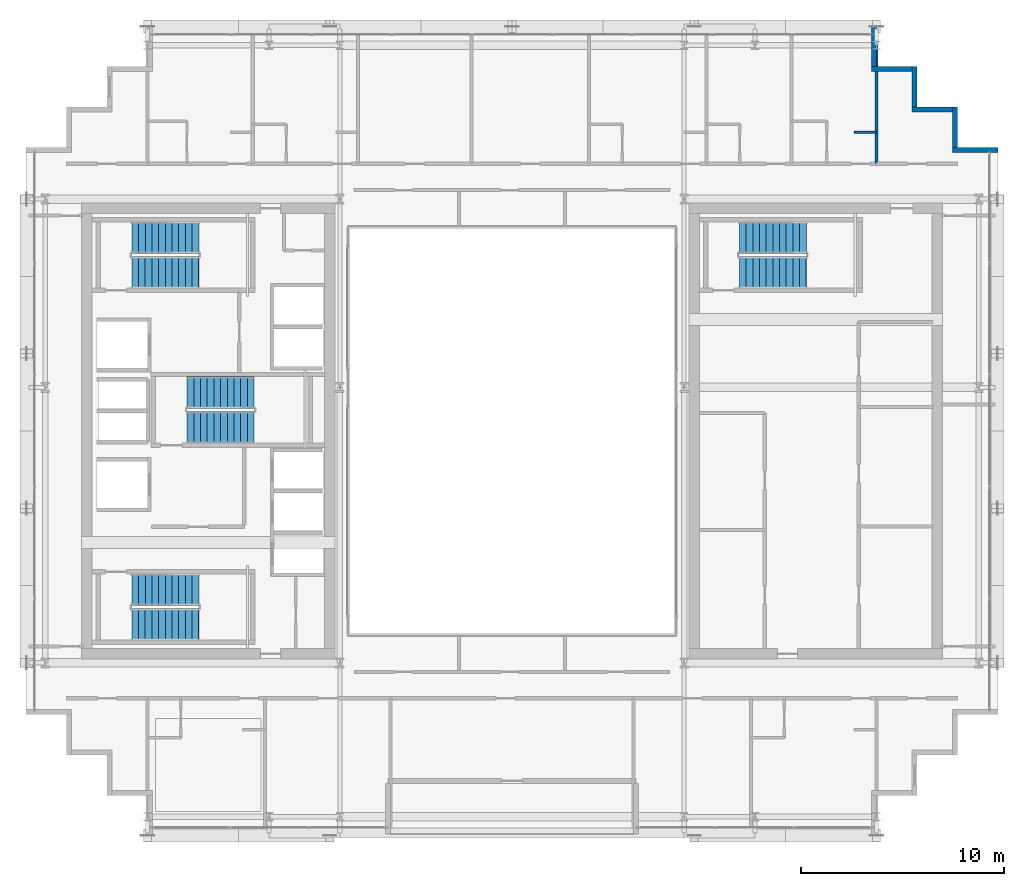
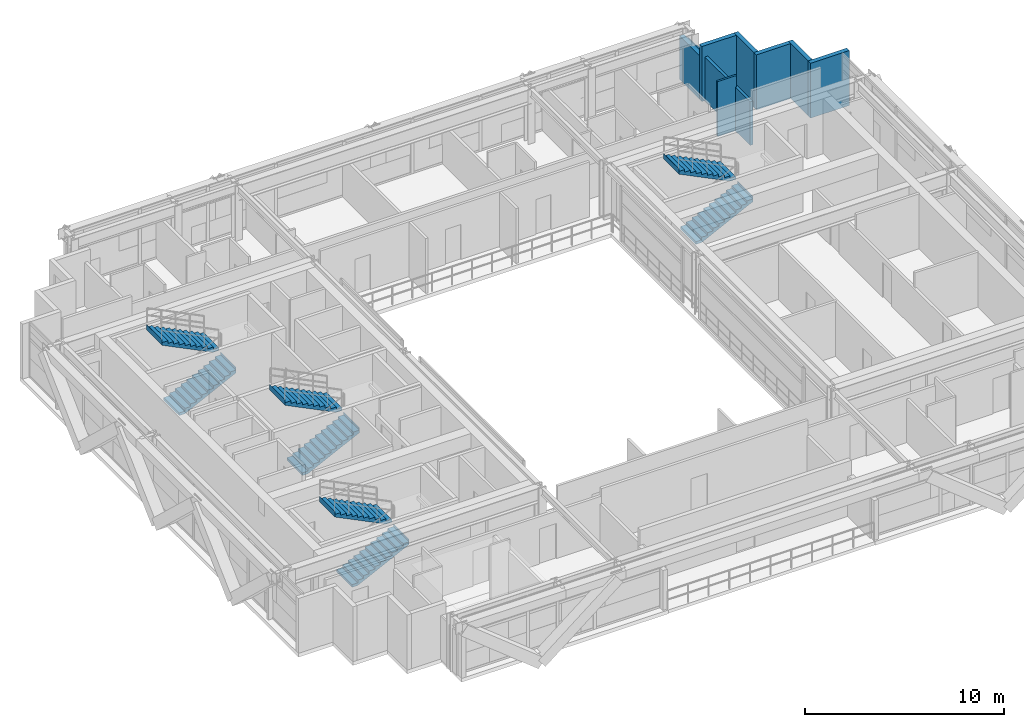
# One storey, part 33 of 37: 8 stair flights, 8 walls, 4 elements without a shape of their own.
"""IFC4 building model written with IfcOpenShell, lengths in metres."""

import ifcopenshell
import ifcopenshell.guid

model = None  # the IFC model being written
_history = None  # IfcOwnerHistory: only IFC2X3 demands one
_inside = {}  # id of a spatial element -> (the spatial element, [elements in it])
_under = {}  # id of a project, library or spatial element -> (it, [spatial elements below it])
_declared = {}  # id of a project -> (the project, [libraries it declares])
_typed = {}  # id of a type object -> (the type object, [elements of that type])
_made_of = {}  # id of a material, layer set ... -> (it, [elements and type objects made of it])


def new_model(schema):
    """Start an empty IFC model of exactly this schema.

    Asked for "IFC4X3", IfcOpenShell would pick the latest addendum, in which some entities
    have other attributes; the version numbers below select the first issue.
    IFC2X3 requires an IfcOwnerHistory on every rooted entity: one is made here for all.
    """
    global model, _history
    if schema == "IFC4X3":
        model = ifcopenshell.file(schema_version=(4, 3, 0, 0))
    else:
        model = ifcopenshell.file(schema=schema)
    _inside.clear()
    _under.clear()
    _declared.clear()
    _typed.clear()
    _made_of.clear()
    _history = None
    if model.schema == "IFC2X3":
        org = make("IfcOrganization", Name="unknown")
        user = make(
            "IfcPersonAndOrganization",
            ThePerson=make("IfcPerson", FamilyName="unknown"),
            TheOrganization=org,
        )
        app = make(
            "IfcApplication",
            ApplicationDeveloper=org,
            Version="unknown",
            ApplicationFullName="unknown",
            ApplicationIdentifier="unknown",
        )
        _history = make(
            "IfcOwnerHistory",
            OwningUser=user,
            OwningApplication=app,
            ChangeAction="ADDED",
            CreationDate=0,
        )
    return model


def make(cls, **values):
    """One entity of the class cls with the attributes given. An attribute that is None is left unset."""
    return model.create_entity(
        cls, **{name: value for name, value in values.items() if value is not None}
    )


def rooted(cls, **values):
    """An entity with a GlobalId (a new one), such as an element, a storey or a relation."""
    return make(cls, GlobalId=ifcopenshell.guid.new(), OwnerHistory=_history, **values)


def si_unit(unit_type, name, prefix=None):
    """IfcSIUnit, for example si_unit("LENGTHUNIT", "METRE", prefix="MILLI")."""
    return make("IfcSIUnit", UnitType=unit_type, Prefix=prefix, Name=name)


def assignment(units):
    """IfcUnitAssignment: the units of a project."""
    return None if units is None else make("IfcUnitAssignment", Units=units)


def point(xyz):
    """IfcCartesianPoint."""
    return None if xyz is None else make("IfcCartesianPoint", Coordinates=xyz)


def direction(xyz):
    """IfcDirection."""
    return None if xyz is None else make("IfcDirection", DirectionRatios=xyz)


def frame(location, z_axis=None, x_axis=None):
    """IfcAxis2Placement3D, a coordinate frame: its origin and axes. An axis left out is left unset."""
    return make(
        "IfcAxis2Placement3D",
        Location=point(location),
        Axis=direction(z_axis),
        RefDirection=direction(x_axis),
    )


def frame_2d(location, x_axis=None):
    """IfcAxis2Placement2D, a coordinate frame in the plane: its origin and x axis."""
    return make(
        "IfcAxis2Placement2D", Location=point(location), RefDirection=direction(x_axis)
    )


def origin():
    """The frame at (0, 0, 0) with its axes left unset."""
    return frame((0.0, 0.0, 0.0))


def place(relative_to, where):
    """IfcLocalPlacement: puts the frame where relative to a parent placement (None: the world)."""
    return make(
        "IfcLocalPlacement", PlacementRelTo=relative_to, RelativePlacement=where
    )


def context(
    kind, dimensions, precision=None, world=None, true_north=None, identifier=None
):
    """IfcGeometricRepresentationContext, for example the 3D "Model" context."""
    return make(
        "IfcGeometricRepresentationContext",
        ContextIdentifier=identifier,
        ContextType=kind,
        CoordinateSpaceDimension=dimensions,
        Precision=precision,
        WorldCoordinateSystem=world,
        TrueNorth=true_north,
    )


def subcontext(parent, identifier, kind, view, scale=None):
    """IfcGeometricRepresentationSubContext, for example "Body" below "Model"."""
    return make(
        "IfcGeometricRepresentationSubContext",
        ContextIdentifier=identifier,
        ContextType=kind,
        ParentContext=parent,
        TargetScale=scale,
        TargetView=view,
    )


def project(units=None, contexts=None):
    """IfcProject with its units and contexts."""
    return rooted(
        "IfcProject",
        Name="project",
        RepresentationContexts=contexts,
        UnitsInContext=assignment(units),
    )


def spatial(cls, under=None, at=None, **own):
    """A site, building, storey or space (cls), placed at a placement, below another one or the project."""
    s = rooted(cls, ObjectPlacement=at, **own)
    if under is not None:
        _under.setdefault(under.id(), (under, []))[1].append(s)
    return s


def polyline(points):
    """IfcPolyline through the points."""
    return make("IfcPolyline", Points=[point(p) for p in points])


def profile(cls, at=None, kind="AREA", **sizes):
    """A parametric profile (cls). Its sizes go by their IFC names, for example OverallWidth=200.0."""
    return make(cls, ProfileType=kind, Position=at, **sizes)


def rectangle(**sizes):
    """IfcRectangleProfileDef."""
    return profile("IfcRectangleProfileDef", **sizes)


def outline(outer, holes=None, kind="AREA"):
    """IfcArbitraryClosedProfileDef: a profile drawn as a closed curve; with holes, ...WithVoids."""
    if holes is None:
        return make("IfcArbitraryClosedProfileDef", ProfileType=kind, OuterCurve=outer)
    return make(
        "IfcArbitraryProfileDefWithVoids",
        ProfileType=kind,
        OuterCurve=outer,
        InnerCurves=holes,
    )


def extrude(swept, where, along, depth):
    """IfcExtrudedAreaSolid: the profile swept, set in the frame where, extruded along a direction by depth."""
    return make(
        "IfcExtrudedAreaSolid",
        SweptArea=swept,
        Position=where,
        ExtrudedDirection=direction(along),
        Depth=depth,
    )


def shape(context_of_items, identifier, shape_type, items):
    """IfcShapeRepresentation: the items that make up one representation, for example the "Body"."""
    return make(
        "IfcShapeRepresentation",
        ContextOfItems=context_of_items,
        RepresentationIdentifier=identifier,
        RepresentationType=shape_type,
        Items=items,
    )


def source(mapping_origin, context_of_items, identifier, shape_type, items):
    """IfcRepresentationMap: a shape defined once, which mapped items show again and again."""
    return make(
        "IfcRepresentationMap",
        MappingOrigin=mapping_origin,
        MappedRepresentation=shape(context_of_items, identifier, shape_type, items),
    )


def transform(
    local_origin,
    x_axis=None,
    y_axis=None,
    z_axis=None,
    scale=None,
    scale2=None,
    scale3=None,
    uniform=True,
):
    """IfcCartesianTransformationOperator3D, or its non-uniform kind. x_axis, y_axis, z_axis: its Axis1, 2, 3."""
    if uniform:
        return make(
            "IfcCartesianTransformationOperator3D",
            Axis1=direction(x_axis),
            Axis2=direction(y_axis),
            LocalOrigin=point(local_origin),
            Scale=scale,
            Axis3=direction(z_axis),
        )
    return make(
        "IfcCartesianTransformationOperator3DnonUniform",
        Axis1=direction(x_axis),
        Axis2=direction(y_axis),
        LocalOrigin=point(local_origin),
        Scale=scale,
        Axis3=direction(z_axis),
        Scale2=scale2,
        Scale3=scale3,
    )


def mapped(mapping_source, mapping_target):
    """IfcMappedItem: shows the shape of a source again, moved by a transform."""
    return make(
        "IfcMappedItem", MappingSource=mapping_source, MappingTarget=mapping_target
    )


def material(Name=None, Category=None):
    """IfcMaterial."""
    return make("IfcMaterial", Name=Name, Category=Category)


def layer(
    of_material, thickness, ventilated=None, Name=None, Category=None, Priority=None
):
    """IfcMaterialLayer: one layer of a wall or slab, of a material (None: an air gap)."""
    return make(
        "IfcMaterialLayer",
        Material=of_material,
        LayerThickness=thickness,
        IsVentilated=ventilated,
        Name=Name,
        Category=Category,
        Priority=Priority,
    )


def layer_set(layers, Name=None):
    """IfcMaterialLayerSet."""
    return make("IfcMaterialLayerSet", MaterialLayers=layers, LayerSetName=Name)


def made_of(thing, what):
    """Note that an element or type object is made of a material, layer set ...; save() writes the relation."""
    if what is not None:
        _made_of.setdefault(what.id(), (what, []))[1].append(thing)
    return thing


def type_object(cls, material=None, **own):
    """A type object (cls), such as IfcWallType, which elements share."""
    return made_of(rooted(cls, **own), material)


def element(
    cls,
    number,
    at=None,
    inside=None,
    cuts=None,
    type_object=None,
    material=None,
    context=None,
    identifier="Body",
    shape_type=None,
    held_by="IfcProductDefinitionShape",
    body=None,
    shapes=None,
    **own,
):
    """One element of the class cls, such as IfcWall. Its Tag is "e" and its number.

    at: its placement. inside: the storey or other place that contains it. cuts: it is an
    opening in that element (IfcRelVoidsElement). A single representation is given by context,
    identifier, shape_type and body (its items); several are given by shapes. held_by: the class
    of the entity that holds the representations. save() writes the other relations.
    """
    e = rooted(cls, Tag="e%d" % number, ObjectPlacement=at, **own)
    if body is not None:
        shapes = [shape(context, identifier, shape_type, body)]
    if shapes is not None:
        e.Representation = make(held_by, Representations=shapes)
    if inside is not None:
        _inside.setdefault(inside.id(), (inside, []))[1].append(e)
    if cuts is not None:
        rooted(
            "IfcRelVoidsElement", RelatingBuildingElement=cuts, RelatedOpeningElement=e
        )
    if type_object is not None:
        _typed.setdefault(type_object.id(), (type_object, []))[1].append(e)
    return made_of(e, material)


def aggregate(whole, parts):
    """IfcRelAggregates: a whole, such as a stair, and the parts it consists of."""
    return rooted("IfcRelAggregates", RelatingObject=whole, RelatedObjects=parts)


def save(model, path):
    """Write the relations noted so far, then the file.

    IfcRelAggregates (storeys below a building ...), IfcRelContainedInSpatialStructure (elements
    in a storey), IfcRelDefinesByType, IfcRelAssociatesMaterial and IfcRelDeclares: one each for
    every whole, place, type object, material and project.
    """
    for whole, parts in _under.values():
        aggregate(whole, parts)
    for where, things in _inside.values():
        rooted(
            "IfcRelContainedInSpatialStructure",
            RelatedElements=things,
            RelatingStructure=where,
        )
    for kind, things in _typed.values():
        rooted("IfcRelDefinesByType", RelatedObjects=things, RelatingType=kind)
    for what, things in _made_of.values():
        rooted("IfcRelAssociatesMaterial", RelatedObjects=things, RelatingMaterial=what)
    for by, libraries in _declared.values():
        rooted("IfcRelDeclares", RelatingContext=by, RelatedDefinitions=libraries)
    model.write(path)


model = new_model("IFC4")

# Units and contexts
model_context = context("Model", 3, precision=1e-05, world=origin(), true_north=direction((0.0, 1.0)))
body_context = subcontext(model_context, "Body", "Model", "MODEL_VIEW")
ifc_project = project(units=[si_unit("LENGTHUNIT", "METRE"), si_unit("AREAUNIT", "SQUARE_METRE"), si_unit("VOLUMEUNIT", "CUBIC_METRE"), si_unit("PLANEANGLEUNIT", "RADIAN"), si_unit("MASSUNIT", "GRAM", prefix="KILO")], contexts=[model_context])

# Site, building, storey
site_placement = place(None, origin())
site = spatial("IfcSite", under=ifc_project, at=site_placement, CompositionType="ELEMENT")
building_placement = place(site_placement, origin())
building = spatial("IfcBuilding", under=site, at=building_placement, Name="Ocotamira Hotel", CompositionType="ELEMENT")
storey_placement = place(building_placement, frame((0.0, 0.0, 192.0)))
storey = spatial("IfcBuildingStorey", under=building, at=storey_placement, Name="L48", CompositionType="ELEMENT", Elevation=192.0)

# Walls
ifc_material_1 = material(Name="Precast concrete C45/55", Category="concrete")
ifc_layer_1 = layer(ifc_material_1, 0.25)
ifc_layer_set_1 = layer_set([ifc_layer_1], Name="Precast concrete C45/55")
wall_type_1 = type_object("IfcWallType", Name="WL-EXT-SER-250", PredefinedType="SOLIDWALL", material=ifc_layer_set_1)
wall_1_placement = place(storey_placement, frame((56.0, 39.875, 0.0), z_axis=(0.0, 0.0, 1.0), x_axis=(-1.0, 0.0, 0.0)))
element("IfcWall", 1, at=wall_1_placement, inside=storey, type_object=wall_type_1, Name="L48 Serrated Corner Wall 07", PredefinedType="SOLIDWALL", context=body_context, shape_type="SweptSolid", body=[
    extrude(rectangle(XDim=2.25, YDim=0.25, at=frame_2d((1.125, 0.0))), origin(), (0.0, 0.0, 1.0), 3.3701171875),
])
for number, where, z_axis, x_axis, name in (
    (2, (53.875, 40.0, 0.0), (0.0, 0.0, 1.0), (0.0, 1.0, 0.0), "L48 Serrated Corner Wall 08"),
    (3, (53.75, 41.875, 0.0), (0.0, 0.0, 1.0), (-1.0, 0.0, 0.0), "L48 Serrated Corner Wall 09"),
    (4, (51.875, 42.0, 0.0), (0.0, 0.0, 1.0), (0.0, 1.0, 0.0), "L48 Serrated Corner Wall 10"),
    (5, (51.75, 43.875, 0.0), (0.0, 0.0, 1.0), (-1.0, 0.0, 0.0), "L48 Serrated Corner Wall 11"),
):
    element("IfcWall", number, at=place(storey_placement, frame(where, z_axis=z_axis, x_axis=x_axis)), inside=storey, type_object=wall_type_1, Name=name, PredefinedType="SOLIDWALL", context=body_context, shape_type="SweptSolid", body=[
        extrude(rectangle(XDim=2.0, YDim=0.25, at=frame_2d((1.0, 0.0))), origin(), (0.0, 0.0, 1.0), 3.3701171875),
    ])
wall_2_placement = place(storey_placement, frame((49.875, 44.0, 0.0), z_axis=(0.0, 0.0, 1.0), x_axis=(0.0, 1.0, 0.0)))
element("IfcWall", 6, at=wall_2_placement, inside=storey, type_object=wall_type_1, Name="L48 Serrated Corner Wall 12", PredefinedType="SOLIDWALL", context=body_context, shape_type="SweptSolid", body=[
    extrude(rectangle(XDim=2.0, YDim=0.25, at=frame_2d((1.0, 0.0))), origin(), (0.0, 0.0, 1.0), 2.677001953125),
])
ifc_material_2 = material(Name="Moisture-resistant en-suite tile and gypsum partition", Category="gypsum")
ifc_layer_2 = layer(ifc_material_2, 0.1201171875)
ifc_layer_set_2 = layer_set([ifc_layer_2], Name="Moisture-resistant en-suite tile and gypsum partition")
wall_type_2 = type_object("IfcWallType", Name="WL-PART-120", PredefinedType="PARTITIONING", material=ifc_layer_set_2)
wall_3_placement = place(storey_placement, frame((48.89990234375, 40.75, 0.0), z_axis=(0.0, 0.0, 1.0), x_axis=(1.0, 0.0, 0.0)))
element("IfcWall", 7, at=wall_3_placement, inside=storey, type_object=wall_type_2, Name="L48 Interior Wall PW-L48-Z3CN-DRN7", PredefinedType="PARTITIONING", context=body_context, shape_type="SweptSolid", body=[
    extrude(rectangle(XDim=1.10009765625, YDim=0.1201171875, at=frame_2d((0.550048828125, 0.0))), origin(), (0.0, 0.0, 1.0), 3.3701171875),
])
ifc_material_3 = material(Name="Acoustic double-stud hospitality gypsum partition", Category="gypsum")
ifc_layer_3 = layer(ifc_material_3, 0.159912109375)
ifc_layer_set_3 = layer_set([ifc_layer_3], Name="Acoustic double-stud hospitality gypsum partition")
wall_type_3 = type_object("IfcWallType", Name="WL-PART-160", PredefinedType="PARTITIONING", material=ifc_layer_set_3)
wall_4_placement = place(storey_placement, frame((50.0, 39.199951171875, 0.0), z_axis=(0.0, 0.0, 1.0), x_axis=(0.0, 1.0, 0.0)))
element("IfcWall", 8, at=wall_4_placement, inside=storey, type_object=wall_type_3, Name="L48 Interior Wall PW-L48-Z3CN-PWEND", PredefinedType="PARTITIONING", context=body_context, shape_type="SweptSolid", body=[
    extrude(rectangle(XDim=6.43994140625, YDim=0.159912109375, at=frame_2d((3.219970703125, 0.0))), origin(), (0.0, 0.0, 1.0), 2.677001953125),
])

# Stair, stair flights
ifc_material_4 = material(Name="Concrete C40/50", Category="concrete")
stair_type = type_object("IfcStairType", Name="ST-CORE-1560", PredefinedType="HALF_TURN_STAIR", material=ifc_material_4)
stair_1_placement = place(storey_placement, origin())
stair_1 = element("IfcStair", 9, at=stair_1_placement, inside=storey, type_object=stair_type, Name="L48 Exit Stair ST-1", PredefinedType="HALF_TURN_STAIR")
stair_flight_type = type_object("IfcStairFlightType", Name="STF-CORE-1560", PredefinedType="STRAIGHT", material=ifc_material_4)
shared_shape = source(origin(), body_context, "Body", "SweptSolid", [
    extrude(outline(polyline([(-0.00390625, 0.0), (-0.00390625, 0.16357421875), (0.330078125, 0.16357421875), (0.330078125, 0.327392578125), (0.659912109375, 0.327392578125), (0.659912109375, 0.490966796875), (0.989990234375, 0.490966796875), (0.989990234375, 0.654541015625), (1.320068359375, 0.654541015625), (1.320068359375, 0.818115234375), (1.64990234375, 0.818115234375), (1.64990234375, 0.98193359375), (1.97998046875, 0.98193359375), (1.97998046875, 1.1455078125), (2.31005859375, 1.1455078125), (2.31005859375, 1.30908203125), (2.639892578125, 1.30908203125), (2.639892578125, 1.47265625), (2.969970703125, 1.47265625), (2.969970703125, 1.636474609375), (3.300048828125, 1.636474609375), (3.300048828125, 1.800048828125), (3.303955078125, 1.800048828125), (3.303955078125, 1.468994140625), (0.33740234375, 0.0), (-0.00390625, 0.0)])), frame((0.0, 0.780029296875, 0.0), z_axis=(0.0, -1.0, 0.0), x_axis=(1.0, 0.0, 0.0)), (0.0, 0.0, 1.0), 1.56005859375),
])
stair_flight_1_placement = place(storey_placement, frame((13.22998046875, 16.449951171875, 0.0), z_axis=(0.0, 0.0, 1.0), x_axis=(1.0, 0.0, 0.0)))
stair_flight_1 = element("IfcStairFlight", 10, at=stair_flight_1_placement, type_object=stair_flight_type, Name="ST-1 flight 1", NumberOfRisers=11, NumberOfTreads=10, PredefinedType="STRAIGHT", RiserHeight=0.163636364, TreadLength=0.33, context=body_context, shape_type="MappedRepresentation", body=[
    mapped(shared_shape, transform((0.0, 0.0, 0.0), scale=1.0)),
])
stair_flight_2_placement = place(storey_placement, frame((16.530029296875, 18.169921875, 1.800048828125), z_axis=(0.0, 0.0, 1.0), x_axis=(-1.0, 0.0, 0.0)))
stair_flight_2 = element("IfcStairFlight", 11, at=stair_flight_2_placement, type_object=stair_flight_type, Name="ST-1 flight 2", NumberOfRisers=11, NumberOfTreads=10, PredefinedType="STRAIGHT", RiserHeight=0.163636364, TreadLength=0.33, context=body_context, shape_type="MappedRepresentation", body=[
    mapped(shared_shape, transform((0.0, 0.0, 0.0), scale=1.0)),
])
aggregate(stair_1, [stair_flight_1, stair_flight_2])

stair_2_placement = place(storey_placement, origin())
stair_2 = element("IfcStair", 12, at=stair_2_placement, inside=storey, type_object=stair_type, Name="L48 Exit Stair ST-2", PredefinedType="HALF_TURN_STAIR")
stair_flight_3_placement = place(storey_placement, frame((13.22998046875, 33.830078125, 0.0), z_axis=(0.0, 0.0, 1.0), x_axis=(1.0, 0.0, 0.0)))
stair_flight_3 = element("IfcStairFlight", 13, at=stair_flight_3_placement, type_object=stair_flight_type, Name="ST-2 flight 1", NumberOfRisers=11, NumberOfTreads=10, PredefinedType="STRAIGHT", RiserHeight=0.163636364, TreadLength=0.33, context=body_context, shape_type="MappedRepresentation", body=[
    mapped(shared_shape, transform((0.0, 0.0, 0.0), scale=1.0)),
])
stair_flight_4_placement = place(storey_placement, frame((16.530029296875, 35.550048828125, 1.800048828125), z_axis=(0.0, 0.0, 1.0), x_axis=(-1.0, 0.0, 0.0)))
stair_flight_4 = element("IfcStairFlight", 14, at=stair_flight_4_placement, type_object=stair_flight_type, Name="ST-2 flight 2", NumberOfRisers=11, NumberOfTreads=10, PredefinedType="STRAIGHT", RiserHeight=0.163636364, TreadLength=0.33, context=body_context, shape_type="MappedRepresentation", body=[
    mapped(shared_shape, transform((0.0, 0.0, 0.0), scale=1.0)),
])
aggregate(stair_2, [stair_flight_3, stair_flight_4])

stair_3_placement = place(storey_placement, origin())
stair_3 = element("IfcStair", 15, at=stair_3_placement, inside=storey, type_object=stair_type, Name="L48 Exit Stair ST-3", PredefinedType="HALF_TURN_STAIR")
stair_flight_5_placement = place(storey_placement, frame((15.9599609375, 26.179931640625, 0.0), z_axis=(0.0, 0.0, 1.0), x_axis=(1.0, 0.0, 0.0)))
stair_flight_5 = element("IfcStairFlight", 16, at=stair_flight_5_placement, type_object=stair_flight_type, Name="ST-3 flight 1", NumberOfRisers=11, NumberOfTreads=10, PredefinedType="STRAIGHT", RiserHeight=0.163636364, TreadLength=0.33, context=body_context, shape_type="MappedRepresentation", body=[
    mapped(shared_shape, transform((0.0, 0.0, 0.0), scale=1.0)),
])
stair_flight_6_placement = place(storey_placement, frame((19.260009765625, 27.89990234375, 1.800048828125), z_axis=(0.0, 0.0, 1.0), x_axis=(-1.0, 0.0, 0.0)))
stair_flight_6 = element("IfcStairFlight", 17, at=stair_flight_6_placement, type_object=stair_flight_type, Name="ST-3 flight 2", NumberOfRisers=11, NumberOfTreads=10, PredefinedType="STRAIGHT", RiserHeight=0.163636364, TreadLength=0.33, context=body_context, shape_type="MappedRepresentation", body=[
    mapped(shared_shape, transform((0.0, 0.0, 0.0), scale=1.0)),
])
aggregate(stair_3, [stair_flight_5, stair_flight_6])

stair_4_placement = place(storey_placement, origin())
stair_4 = element("IfcStair", 18, at=stair_4_placement, inside=storey, type_object=stair_type, Name="L48 Exit Stair ST-4", PredefinedType="HALF_TURN_STAIR")
stair_flight_7_placement = place(storey_placement, frame((43.22998046875, 33.830078125, 0.0), z_axis=(0.0, 0.0, 1.0), x_axis=(1.0, 0.0, 0.0)))
stair_flight_7 = element("IfcStairFlight", 19, at=stair_flight_7_placement, type_object=stair_flight_type, Name="ST-4 flight 1", NumberOfRisers=11, NumberOfTreads=10, PredefinedType="STRAIGHT", RiserHeight=0.163636364, TreadLength=0.33, context=body_context, shape_type="MappedRepresentation", body=[
    mapped(shared_shape, transform((0.0, 0.0, 0.0), scale=1.0)),
])
stair_flight_8_placement = place(storey_placement, frame((46.530029296875, 35.550048828125, 1.800048828125), z_axis=(0.0, 0.0, 1.0), x_axis=(-1.0, 0.0, 0.0)))
stair_flight_8 = element("IfcStairFlight", 20, at=stair_flight_8_placement, type_object=stair_flight_type, Name="ST-4 flight 2", NumberOfRisers=11, NumberOfTreads=10, PredefinedType="STRAIGHT", RiserHeight=0.163636364, TreadLength=0.33, context=body_context, shape_type="MappedRepresentation", body=[
    mapped(shared_shape, transform((0.0, 0.0, 0.0), scale=1.0)),
])
aggregate(stair_4, [stair_flight_7, stair_flight_8])

save(model, "model.ifc")
